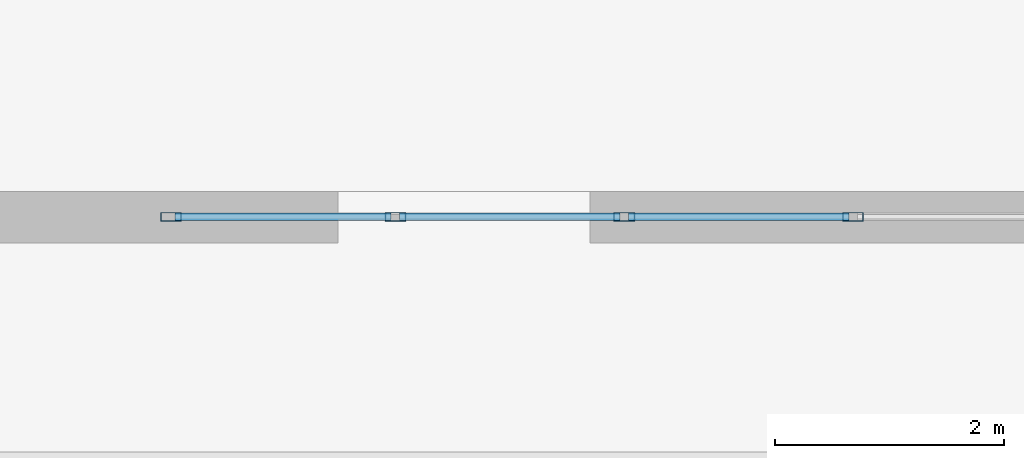
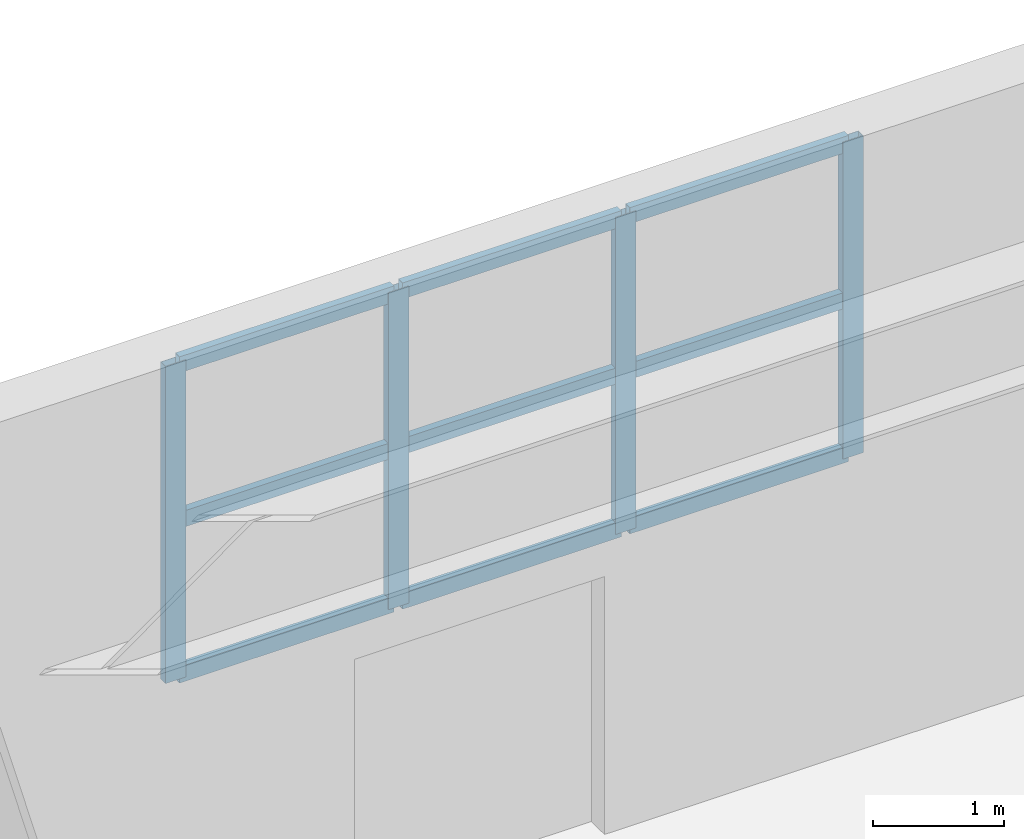
# One storey, part 8 of 31: 13 members, 1 element without a shape of its own.
"""IFC4 building model written with IfcOpenShell, lengths in metres."""

from ifc_helpers import new_model, si_unit, direction, frame, origin, origin_2d, place, context, subcontext, project, spatial, hollow_rectangle, extrude, material, layer, layer_set, material_profile, profile_set, type_object, element, aggregate, save


model = new_model("IFC4")

# Units and contexts
model_context = context("Model", 3, precision=1e-05, world=origin(), true_north=direction((0.0, 1.0)))
body_context = subcontext(model_context, "Body", "Model", "MODEL_VIEW")
ifc_project = project(units=[si_unit("LENGTHUNIT", "METRE"), si_unit("AREAUNIT", "SQUARE_METRE"), si_unit("VOLUMEUNIT", "CUBIC_METRE"), si_unit("PLANEANGLEUNIT", "RADIAN"), si_unit("MASSUNIT", "GRAM", prefix="KILO")], contexts=[model_context])

# Site, building, storey
site_placement = place(None, origin())
site = spatial("IfcSite", under=ifc_project, at=site_placement, CompositionType="ELEMENT")
building_placement = place(site_placement, origin())
building = spatial("IfcBuilding", under=site, at=building_placement, Name="Qiaolan Cultural Towers", CompositionType="ELEMENT")
storey_placement = place(building_placement, origin())
storey = spatial("IfcBuildingStorey", under=building, at=storey_placement, Name="L00", CompositionType="ELEMENT", Elevation=0.0)

# Curtain wall, members
ifc_material_1 = material(Name="Unitized Anodized Aluminium Curtain Wall System", Category="aluminium")
ifc_layer = layer(ifc_material_1, 0.199951171875)
ifc_layer_set = layer_set([ifc_layer], Name="Unitized Anodized Aluminium Curtain Wall System")
curtain_wall_type = type_object("IfcCurtainWallType", Name="CWS-01", PredefinedType="NOTDEFINED", material=ifc_layer_set)
curtain_wall_placement = place(storey_placement, origin())
curtain_wall = element("IfcCurtainWall", 1, at=curtain_wall_placement, inside=storey, type_object=curtain_wall_type, Name="L00 North Station Concourse Clerestory Curtain Wall", PredefinedType="NOTDEFINED")
ifc_material_2 = material(Name="Extruded Aluminium 6063-T6", Category="aluminium")
ifc_material_profile_1 = material_profile(ifc_material_2, hollow_rectangle(XDim=0.074951171875, YDim=0.179931640625, WallThickness=0.00390625, at=origin_2d()), Name="CWM-180x75x4")
ifc_profile_set_1 = profile_set([ifc_material_profile_1], Name="Extruded Aluminium 6063-T6")
member_type_1 = type_object("IfcMemberType", Name="CWS-01-MUL", PredefinedType="MULLION", material=ifc_profile_set_1)
member_1_placement = place(storey_placement, frame((49.53759765625, 67.780029296875, 2.60009765625), z_axis=(0.0, 0.0, 1.0), x_axis=(0.0, 1.0, 0.0)))
member_1 = element("IfcMember", 2, at=member_1_placement, type_object=member_type_1, Name="CW-1 mullion 1", PredefinedType="MULLION", context=body_context, shape_type="SweptSolid", body=[
    extrude(hollow_rectangle(XDim=0.074951171875, YDim=0.179931640625, WallThickness=0.00390625, at=origin_2d()), origin(), (0.0, 0.0, 1.0), 2.949951171875),
])
member_2_placement = place(storey_placement, frame((51.5, 67.780029296875, 2.60009765625), z_axis=(0.0, 0.0, 1.0), x_axis=(0.0, 1.0, 0.0)))
member_2 = element("IfcMember", 3, at=member_2_placement, type_object=member_type_1, Name="CW-1 mullion 2", PredefinedType="MULLION", context=body_context, shape_type="SweptSolid", body=[
    extrude(hollow_rectangle(XDim=0.074951171875, YDim=0.179931640625, WallThickness=0.00390625, at=origin_2d()), origin(), (0.0, 0.0, 1.0), 2.949951171875),
])
member_3_placement = place(storey_placement, frame((53.5, 67.780029296875, 2.60009765625), z_axis=(0.0, 0.0, 1.0), x_axis=(0.0, 1.0, 0.0)))
member_3 = element("IfcMember", 4, at=member_3_placement, type_object=member_type_1, Name="CW-1 mullion 3", PredefinedType="MULLION", context=body_context, shape_type="SweptSolid", body=[
    extrude(hollow_rectangle(XDim=0.074951171875, YDim=0.179931640625, WallThickness=0.00390625, at=origin_2d()), origin(), (0.0, 0.0, 1.0), 2.949951171875),
])
member_4_placement = place(storey_placement, frame((55.5, 67.780029296875, 2.60009765625), z_axis=(0.0, 0.0, 1.0), x_axis=(0.0, 1.0, 0.0)))
member_4 = element("IfcMember", 5, at=member_4_placement, type_object=member_type_1, Name="CW-1 mullion 4", PredefinedType="MULLION", context=body_context, shape_type="SweptSolid", body=[
    extrude(hollow_rectangle(XDim=0.074951171875, YDim=0.179931640625, WallThickness=0.00390625, at=origin_2d()), origin(), (0.0, 0.0, 1.0), 2.949951171875),
])
ifc_material_3 = material(Name="Extruded Aluminium 6063-T6", Category="aluminium")
ifc_material_profile_2 = material_profile(ifc_material_3, hollow_rectangle(XDim=0.06494140625, YDim=0.14990234375, WallThickness=0.00390625, at=origin_2d()), Name="CWT-150x65x4")
ifc_profile_set_2 = profile_set([ifc_material_profile_2], Name="Extruded Aluminium 6063-T6")
member_type_2 = type_object("IfcMemberType", Name="CWS-01-TRN", PredefinedType="USERDEFINED", material=ifc_profile_set_2)
member_5_placement = place(storey_placement, frame((49.574951171875, 67.780029296875, 2.632568359375), z_axis=(1.0, 0.0, 0.0), x_axis=(0.0, 1.0, 0.0)))
member_5 = element("IfcMember", 6, at=member_5_placement, type_object=member_type_2, Name="CW-1 transom 1.1", ObjectType="TRANSOM", PredefinedType="USERDEFINED", context=body_context, shape_type="SweptSolid", body=[
    extrude(hollow_rectangle(XDim=0.06494140625, YDim=0.14990234375, WallThickness=0.00390625, at=origin_2d()), origin(), (0.0, 0.0, 1.0), 1.887451171875),
])
member_6_placement = place(storey_placement, frame((49.574951171875, 67.780029296875, 4.070068359375), z_axis=(1.0, 0.0, 0.0), x_axis=(0.0, 1.0, 0.0)))
member_6 = element("IfcMember", 7, at=member_6_placement, type_object=member_type_2, Name="CW-1 transom 1.2", ObjectType="TRANSOM", PredefinedType="USERDEFINED", context=body_context, shape_type="SweptSolid", body=[
    extrude(hollow_rectangle(XDim=0.06494140625, YDim=0.14990234375, WallThickness=0.00390625, at=origin_2d()), origin(), (0.0, 0.0, 1.0), 1.887451171875),
])
member_7_placement = place(storey_placement, frame((49.574951171875, 67.780029296875, 5.517578125), z_axis=(1.0, 0.0, 0.0), x_axis=(0.0, 1.0, 0.0)))
member_7 = element("IfcMember", 8, at=member_7_placement, type_object=member_type_2, Name="CW-1 transom 1.3", ObjectType="TRANSOM", PredefinedType="USERDEFINED", context=body_context, shape_type="SweptSolid", body=[
    extrude(hollow_rectangle(XDim=0.06494140625, YDim=0.14990234375, WallThickness=0.00390625, at=origin_2d()), origin(), (0.0, 0.0, 1.0), 1.887451171875),
])
member_8_placement = place(storey_placement, frame((51.53759765625, 67.780029296875, 2.632568359375), z_axis=(1.0, 0.0, 0.0), x_axis=(0.0, 1.0, 0.0)))
member_8 = element("IfcMember", 9, at=member_8_placement, type_object=member_type_2, Name="CW-1 transom 2.1", ObjectType="TRANSOM", PredefinedType="USERDEFINED", context=body_context, shape_type="SweptSolid", body=[
    extrude(hollow_rectangle(XDim=0.06494140625, YDim=0.14990234375, WallThickness=0.00390625, at=origin_2d()), origin(), (0.0, 0.0, 1.0), 1.9248046875),
])
member_9_placement = place(storey_placement, frame((51.53759765625, 67.780029296875, 4.070068359375), z_axis=(1.0, 0.0, 0.0), x_axis=(0.0, 1.0, 0.0)))
member_9 = element("IfcMember", 10, at=member_9_placement, type_object=member_type_2, Name="CW-1 transom 2.2", ObjectType="TRANSOM", PredefinedType="USERDEFINED", context=body_context, shape_type="SweptSolid", body=[
    extrude(hollow_rectangle(XDim=0.06494140625, YDim=0.14990234375, WallThickness=0.00390625, at=origin_2d()), origin(), (0.0, 0.0, 1.0), 1.9248046875),
])
member_10_placement = place(storey_placement, frame((51.53759765625, 67.780029296875, 5.517578125), z_axis=(1.0, 0.0, 0.0), x_axis=(0.0, 1.0, 0.0)))
member_10 = element("IfcMember", 11, at=member_10_placement, type_object=member_type_2, Name="CW-1 transom 2.3", ObjectType="TRANSOM", PredefinedType="USERDEFINED", context=body_context, shape_type="SweptSolid", body=[
    extrude(hollow_rectangle(XDim=0.06494140625, YDim=0.14990234375, WallThickness=0.00390625, at=origin_2d()), origin(), (0.0, 0.0, 1.0), 1.9248046875),
])
member_11_placement = place(storey_placement, frame((53.53759765625, 67.780029296875, 2.632568359375), z_axis=(1.0, 0.0, 0.0), x_axis=(0.0, 1.0, 0.0)))
member_11 = element("IfcMember", 12, at=member_11_placement, type_object=member_type_2, Name="CW-1 transom 3.1", ObjectType="TRANSOM", PredefinedType="USERDEFINED", context=body_context, shape_type="SweptSolid", body=[
    extrude(hollow_rectangle(XDim=0.06494140625, YDim=0.14990234375, WallThickness=0.00390625, at=origin_2d()), origin(), (0.0, 0.0, 1.0), 1.9248046875),
])
member_12_placement = place(storey_placement, frame((53.53759765625, 67.780029296875, 4.070068359375), z_axis=(1.0, 0.0, 0.0), x_axis=(0.0, 1.0, 0.0)))
member_12 = element("IfcMember", 13, at=member_12_placement, type_object=member_type_2, Name="CW-1 transom 3.2", ObjectType="TRANSOM", PredefinedType="USERDEFINED", context=body_context, shape_type="SweptSolid", body=[
    extrude(hollow_rectangle(XDim=0.06494140625, YDim=0.14990234375, WallThickness=0.00390625, at=origin_2d()), origin(), (0.0, 0.0, 1.0), 1.9248046875),
])
member_13_placement = place(storey_placement, frame((53.53759765625, 67.780029296875, 5.517578125), z_axis=(1.0, 0.0, 0.0), x_axis=(0.0, 1.0, 0.0)))
member_13 = element("IfcMember", 14, at=member_13_placement, type_object=member_type_2, Name="CW-1 transom 3.3", ObjectType="TRANSOM", PredefinedType="USERDEFINED", context=body_context, shape_type="SweptSolid", body=[
    extrude(hollow_rectangle(XDim=0.06494140625, YDim=0.14990234375, WallThickness=0.00390625, at=origin_2d()), origin(), (0.0, 0.0, 1.0), 1.9248046875),
])
aggregate(curtain_wall, [member_1, member_2, member_3, member_4, member_5, member_6, member_7, member_8, member_9, member_10, member_11, member_12, member_13])

save(model, "model.ifc")
